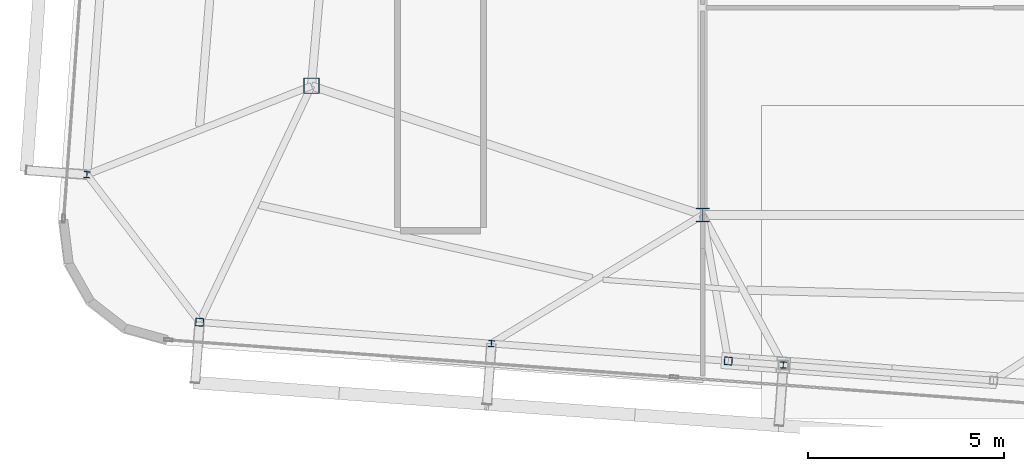
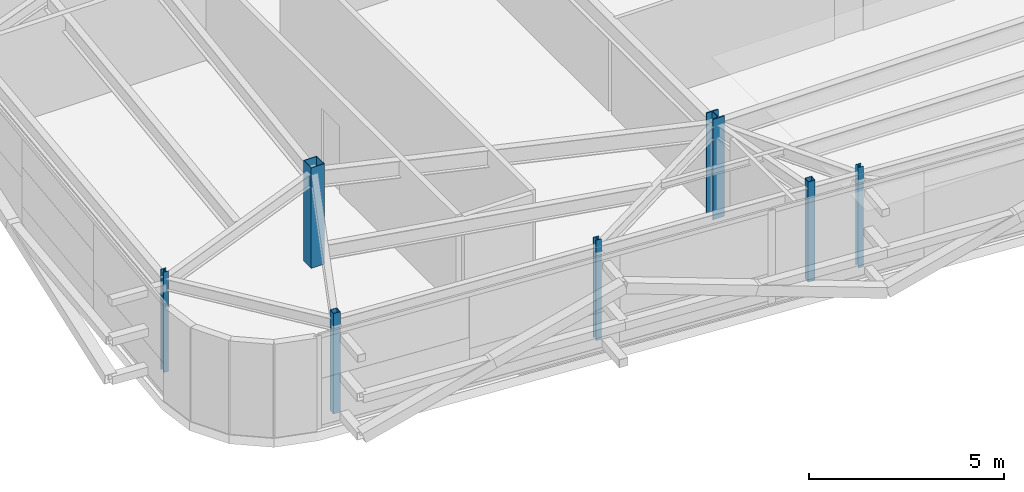
# One storey, part 1 of 35: 7 columns.
"""IFC4 building model written with IfcOpenShell, lengths in metres."""

from ifc_helpers import new_model, si_unit, direction, frame, origin, origin_2d, place, context, subcontext, project, spatial, hollow_rectangle, i_section, extrude, source, transform, mapped, material, material_profile, profile_set, type_object, element, save


model = new_model("IFC4")

# Units and contexts
model_context = context("Model", 3, precision=1e-05, world=origin(), true_north=direction((0.0, 1.0)))
body_context = subcontext(model_context, "Body", "Model", "MODEL_VIEW")
ifc_project = project(units=[si_unit("LENGTHUNIT", "METRE"), si_unit("AREAUNIT", "SQUARE_METRE"), si_unit("VOLUMEUNIT", "CUBIC_METRE"), si_unit("PLANEANGLEUNIT", "RADIAN"), si_unit("MASSUNIT", "GRAM", prefix="KILO")], contexts=[model_context])

# Site, building, storey
site_placement = place(None, origin())
site = spatial("IfcSite", under=ifc_project, at=site_placement, CompositionType="ELEMENT")
building_placement = place(site_placement, origin())
building = spatial("IfcBuilding", under=site, at=building_placement, Name="Taldren Reach Tower", CompositionType="ELEMENT")
storey_placement = place(building_placement, frame((0.0, 0.0, 236.60009765625)))
storey = spatial("IfcBuildingStorey", under=building, at=storey_placement, Name="L72", CompositionType="ELEMENT", Elevation=236.60009765625)

# Columns
ifc_material_1 = material(Name="Steel Gr 350 (350PLUS)", Category="steel")
ifc_material_profile_1 = material_profile(ifc_material_1, i_section(OverallWidth=0.35009765625, OverallDepth=0.35595703125, WebThickness=0.01806640625, FlangeThickness=0.028076171875, at=origin_2d()), Name="350WC197")
ifc_profile_set_1 = profile_set([ifc_material_profile_1], Name="Steel Gr 350 (350PLUS)")
column_type_1 = type_object("IfcColumnType", Name="COL-WC350", PredefinedType="COLUMN", material=ifc_profile_set_1)
shared_shape_1 = source(origin(), body_context, "Body", "SweptSolid", [
    extrude(i_section(OverallWidth=0.35009765625, OverallDepth=0.35595703125, WebThickness=0.01806640625, FlangeThickness=0.028076171875, at=origin_2d()), origin(), (0.0, 0.0, 1.0), 3.14990234375),
])
column_1_placement = place(storey_placement, frame((28.0, 9.199951171875, 0.0), z_axis=(0.0, 0.0, 1.0), x_axis=(1.0, 0.0, 0.0)))
element("IfcColumn", 1, at=column_1_placement, inside=storey, type_object=column_type_1, Name="Mega column MC-PJW L72", PredefinedType="COLUMN", context=body_context, shape_type="MappedRepresentation", body=[
    mapped(shared_shape_1, transform((0.0, 0.0, 0.0), scale=1.0)),
])
ifc_material_2 = material(Name="Steel Gr 450 (C450L0)", Category="steel")
ifc_material_profile_2 = material_profile(ifc_material_2, hollow_rectangle(XDim=0.39990234375, YDim=0.39990234375, WallThickness=0.01611328125, at=origin_2d()), Name="400x400x16.0SHS")
ifc_profile_set_2 = profile_set([ifc_material_profile_2], Name="Steel Gr 450 (C450L0)")
column_type_2 = type_object("IfcColumnType", Name="COL-SHS400", PredefinedType="COLUMN", material=ifc_profile_set_2)
shared_shape_2 = source(origin(), body_context, "Body", "SweptSolid", [
    extrude(hollow_rectangle(XDim=0.39990234375, YDim=0.39990234375, WallThickness=0.01611328125, at=origin_2d()), origin(), (0.0, 0.0, 1.0), 3.14990234375),
])
column_2_placement = place(storey_placement, frame((18.0, 12.5, 0.0), z_axis=(0.0, 0.0, 1.0), x_axis=(1.0, 0.0, 0.0)))
element("IfcColumn", 2, at=column_2_placement, inside=storey, type_object=column_type_2, Name="Mega column MC-SW L72", PredefinedType="COLUMN", context=body_context, shape_type="MappedRepresentation", body=[
    mapped(shared_shape_2, transform((0.0, 0.0, 0.0), scale=1.0)),
])
ifc_material_3 = material(Name="Steel Gr 350 (C350L0)", Category="steel")
ifc_material_profile_3 = material_profile(ifc_material_3, hollow_rectangle(XDim=0.199951171875, YDim=0.199951171875, WallThickness=0.009033203125, at=origin_2d()), Name="200x200x9.0SHS")
ifc_profile_set_3 = profile_set([ifc_material_profile_3], Name="Steel Gr 350 (C350L0)")
column_type_3 = type_object("IfcColumnType", Name="COL-SHS200", PredefinedType="COLUMN", material=ifc_profile_set_3)
shared_shape_3 = source(origin(), body_context, "Body", "SweptSolid", [
    extrude(hollow_rectangle(XDim=0.199951171875, YDim=0.199951171875, WallThickness=0.009033203125, at=origin_2d()), origin(), (0.0, 0.0, 1.0), 3.14990234375),
])
for number, where, z_axis, x_axis, name in (
    (3, (15.140625, 6.460205078125, 0.0), (0.0, 0.0, 1.0), (0.997314477224, -0.073238197128, 0.0), "Block B5 perimeter column S1 L72"),
    (4, (28.654296875, 5.4677734375, 0.0), (0.0, 0.0, 1.0), (0.997314477224, -0.073238197128, 0.0), "Block B5 perimeter column PJ1 L72"),
):
    element("IfcColumn", number, at=place(storey_placement, frame(where, z_axis=z_axis, x_axis=x_axis)), inside=storey, type_object=column_type_3, Name=name, PredefinedType="COLUMN", context=body_context, shape_type="MappedRepresentation", body=[
        mapped(shared_shape_3, transform((0.0, 0.0, 0.0), scale=1.0)),
    ])
ifc_material_profile_4 = material_profile(ifc_material_1, i_section(OverallWidth=0.154052734375, OverallDepth=0.162109375, WebThickness=0.008056640625, FlangeThickness=0.011474609375, at=origin_2d()), Name="150UC37.2")
ifc_profile_set_4 = profile_set([ifc_material_profile_4], Name="Steel Gr 350 (350PLUS)")
column_type_4 = type_object("IfcColumnType", Name="COL-UC150", PredefinedType="COLUMN", material=ifc_profile_set_4)
shared_shape_4 = source(origin(), body_context, "Body", "SweptSolid", [
    extrude(i_section(OverallWidth=0.154052734375, OverallDepth=0.162109375, WebThickness=0.008056640625, FlangeThickness=0.011474609375, at=origin_2d()), origin(), (0.0, 0.0, 1.0), 3.14990234375),
])
for number, where, z_axis, x_axis, name in (
    (5, (22.6005859375, 5.912353515625, 0.0), (0.0, 0.0, 1.0), (0.997314477224, -0.073238197128, 0.0), "Block B5 perimeter column S2 L72"),
    (6, (30.060546875, 5.364501953125, 0.0), (0.0, 0.0, 1.0), (0.997314477224, -0.073238197128, 0.0), "Block B5 perimeter column S3 L72"),
    (7, (12.259033203125, 10.2314453125, 0.0), (0.0, 0.0, 1.0), (0.997314477224, -0.073238197128, 0.0), "Block B5 perimeter column W1 L72"),
):
    element("IfcColumn", number, at=place(storey_placement, frame(where, z_axis=z_axis, x_axis=x_axis)), inside=storey, type_object=column_type_4, Name=name, PredefinedType="COLUMN", context=body_context, shape_type="MappedRepresentation", body=[
        mapped(shared_shape_4, transform((0.0, 0.0, 0.0), scale=1.0)),
    ])

save(model, "model.ifc")
